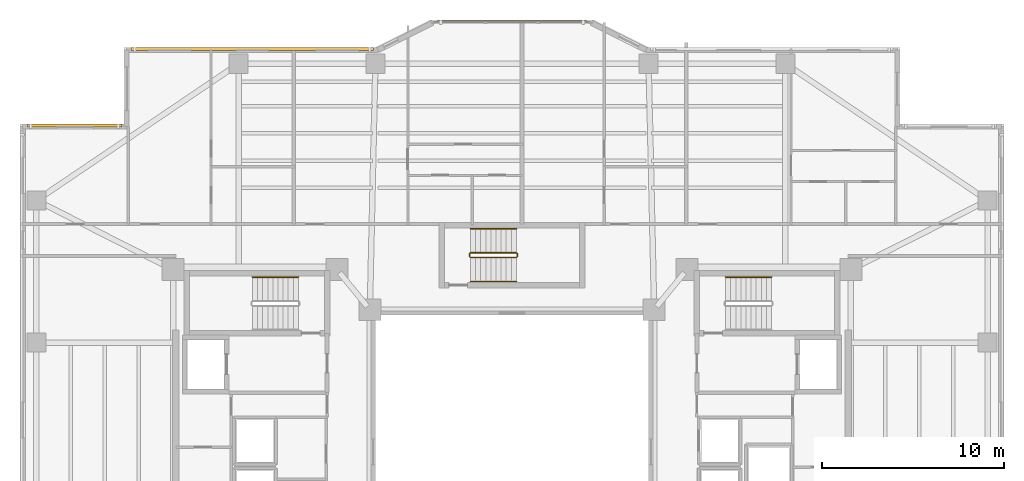
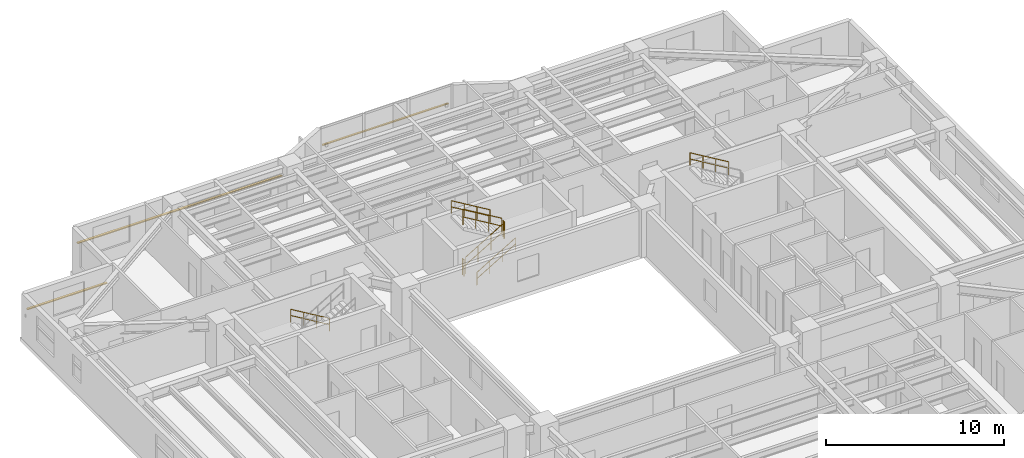
# One storey, part 17 of 18: 8 railings, 3 shading devices.
"""IFC4 building model written with IfcOpenShell, lengths in metres."""

from ifc_helpers import new_model, si_unit, direction, frame, origin, origin_2d, place, context, subcontext, project, spatial, rectangle, circle, extrude, material, material_profile, profile_set, type_object, element, save


model = new_model("IFC4")

# Units and contexts
model_context = context("Model", 3, precision=1e-05, world=origin(), true_north=direction((0.0, 1.0)))
body_context = subcontext(model_context, "Body", "Model", "MODEL_VIEW")
ifc_project = project(units=[si_unit("LENGTHUNIT", "METRE"), si_unit("AREAUNIT", "SQUARE_METRE"), si_unit("VOLUMEUNIT", "CUBIC_METRE"), si_unit("PLANEANGLEUNIT", "RADIAN"), si_unit("MASSUNIT", "GRAM", prefix="KILO")], contexts=[model_context])

# Site, building, storey
site_placement = place(None, origin())
site = spatial("IfcSite", under=ifc_project, at=site_placement, CompositionType="ELEMENT")
building_placement = place(site_placement, origin())
building = spatial("IfcBuilding", under=site, at=building_placement, Name="Tarnavaz Court Tower", CompositionType="ELEMENT")
storey_placement = place(building_placement, frame((0.0, 0.0, 98.39990234375)))
storey = spatial("IfcBuildingStorey", under=building, at=storey_placement, Name="L26", CompositionType="ELEMENT", Elevation=98.39990234375)

# Railings
ifc_material_1 = material(Name="Brushed Stainless Steel", Category="steel")
railing_type_1 = type_object("IfcRailingType", Name="RL-HANDRAIL-900", PredefinedType="HANDRAIL", material=ifc_material_1)
for number, where, name in (
    (1, (-11.719970703125, 9.590087890625, 0.16748046875), "L26 ST-W1 stair handrail 1"),
    (2, (14.239990234375, 9.590087890625, 1.842529296875), "L26 ST-E1 stair handrail 2"),
):
    element("IfcRailing", number, at=place(storey_placement, frame(where)), inside=storey, type_object=railing_type_1, Name=name, PredefinedType="HANDRAIL", context=body_context, shape_type="SweptSolid", body=[
        extrude(circle(Radius=0.02392578125, at=origin_2d()), frame((0.0, 0.0, 0.8759765625), z_axis=(-0.858159760407, 0.0, 0.513382728203), x_axis=(0.0, -1.0, 0.0)), (0.0, 0.0, 1.0), 2.9365234375),
        extrude(circle(Radius=0.02392578125, at=origin_2d()), frame((0.0, 0.0, 0.449951171875), z_axis=(-0.858159760407, 0.0, 0.513382728203), x_axis=(0.0, -1.0, 0.0)), (0.0, 0.0, 1.0), 2.9365234375),
        extrude(circle(Radius=0.02099609375, at=origin_2d()), origin(), (0.0, 0.0, 1.0), 0.851806640625),
        extrude(circle(Radius=0.02099609375, at=origin_2d()), frame((-0.840087890625, 0.0, 0.50244140625)), (0.0, 0.0, 1.0), 0.851806640625),
        extrude(circle(Radius=0.02099609375, at=origin_2d()), frame((-1.679931640625, 0.0, 1.005126953125)), (0.0, 0.0, 1.0), 0.851806640625),
        extrude(circle(Radius=0.02099609375, at=origin_2d()), frame((-2.52001953125, 0.0, 1.507568359375)), (0.0, 0.0, 1.0), 0.851806640625),
    ])
railing_1_placement = place(storey_placement, frame((-2.280029296875, 9.35009765625, 0.16748046875)))
element("IfcRailing", 3, at=railing_1_placement, inside=storey, type_object=railing_type_1, Name="L26 ST-N1 stair handrail 1", PredefinedType="HANDRAIL", context=body_context, shape_type="SweptSolid", body=[
    extrude(circle(Radius=0.02392578125, at=origin_2d()), frame((0.0, 0.0, 0.8759765625), z_axis=(0.858159760407, 0.0, 0.513382728203), x_axis=(0.0, 1.0, 0.0)), (0.0, 0.0, 1.0), 2.9365234375),
    extrude(circle(Radius=0.02392578125, at=origin_2d()), frame((0.0, 0.0, 0.449951171875), z_axis=(0.858159760407, 0.0, 0.513382728203), x_axis=(0.0, 1.0, 0.0)), (0.0, 0.0, 1.0), 2.9365234375),
    extrude(circle(Radius=0.02099609375, at=origin_2d()), origin(), (0.0, 0.0, 1.0), 0.851806640625),
    extrude(circle(Radius=0.02099609375, at=origin_2d()), frame((0.840087890625, 0.0, 0.50244140625)), (0.0, 0.0, 1.0), 0.851806640625),
    extrude(circle(Radius=0.02099609375, at=origin_2d()), frame((1.679931640625, 0.0, 1.005126953125)), (0.0, 0.0, 1.0), 0.851806640625),
    extrude(circle(Radius=0.02099609375, at=origin_2d()), frame((2.52001953125, 0.0, 1.507568359375)), (0.0, 0.0, 1.0), 0.851806640625),
])
railing_2_placement = place(storey_placement, frame((0.239990234375, 12.239990234375, 1.842529296875)))
element("IfcRailing", 4, at=railing_2_placement, inside=storey, type_object=railing_type_1, Name="L26 ST-N1 stair handrail 2", PredefinedType="HANDRAIL", context=body_context, shape_type="SweptSolid", body=[
    extrude(circle(Radius=0.02392578125, at=origin_2d()), frame((0.0, 0.0, 0.8759765625), z_axis=(-0.858159760407, 0.0, 0.513382728203), x_axis=(0.0, -1.0, 0.0)), (0.0, 0.0, 1.0), 2.9365234375),
    extrude(circle(Radius=0.02392578125, at=origin_2d()), frame((0.0, 0.0, 0.449951171875), z_axis=(-0.858159760407, 0.0, 0.513382728203), x_axis=(0.0, -1.0, 0.0)), (0.0, 0.0, 1.0), 2.9365234375),
    extrude(circle(Radius=0.02099609375, at=origin_2d()), origin(), (0.0, 0.0, 1.0), 0.851806640625),
    extrude(circle(Radius=0.02099609375, at=origin_2d()), frame((-0.840087890625, 0.0, 0.50244140625)), (0.0, 0.0, 1.0), 0.851806640625),
    extrude(circle(Radius=0.02099609375, at=origin_2d()), frame((-1.679931640625, 0.0, 1.005126953125)), (0.0, 0.0, 1.0), 0.851806640625),
    extrude(circle(Radius=0.02099609375, at=origin_2d()), frame((-2.52001953125, 0.0, 1.507568359375)), (0.0, 0.0, 1.0), 0.851806640625),
])
ifc_material_2 = material(Name="Galvanized Painted Tubular Steel", Category="steel")
railing_type_2 = type_object("IfcRailingType", Name="RL-STGUARD-1120", PredefinedType="GUARDRAIL", material=ifc_material_2)
railing_3_placement = place(storey_placement, frame((-2.280029296875, 10.669921875, 0.16748046875)))
element("IfcRailing", 5, at=railing_3_placement, inside=storey, type_object=railing_type_2, Name="L26 ST-N1 stair guard 1", PredefinedType="GUARDRAIL", context=body_context, shape_type="SweptSolid", body=[
    extrude(circle(Radius=0.02392578125, at=origin_2d()), frame((0.0, 0.0, 1.09619140625), z_axis=(0.858159760407, 0.0, 0.513382728203), x_axis=(0.0, 1.0, 0.0)), (0.0, 0.0, 1.0), 2.9365234375),
    extrude(circle(Radius=0.02392578125, at=origin_2d()), frame((0.0, 0.0, 0.56005859375), z_axis=(0.858159760407, 0.0, 0.513382728203), x_axis=(0.0, 1.0, 0.0)), (0.0, 0.0, 1.0), 2.9365234375),
    extrude(circle(Radius=0.02099609375, at=origin_2d()), origin(), (0.0, 0.0, 1.0), 1.072021484375),
    extrude(circle(Radius=0.02099609375, at=origin_2d()), frame((0.840087890625, 0.0, 0.50244140625)), (0.0, 0.0, 1.0), 1.072021484375),
    extrude(circle(Radius=0.02099609375, at=origin_2d()), frame((1.679931640625, 0.0, 1.005126953125)), (0.0, 0.0, 1.0), 1.072021484375),
    extrude(circle(Radius=0.02099609375, at=origin_2d()), frame((2.52001953125, 0.0, 1.507568359375)), (0.0, 0.0, 1.0), 1.072021484375),
])
railing_4_placement = place(storey_placement, frame((0.2900390625, 10.719970703125, 1.675048828125)))
element("IfcRailing", 6, at=railing_4_placement, inside=storey, type_object=railing_type_2, Name="L26 ST-N1 stair guard 2", PredefinedType="GUARDRAIL", context=body_context, shape_type="SweptSolid", body=[
    extrude(circle(Radius=0.02392578125, at=origin_2d()), frame((0.0, 0.0, 1.09619140625), z_axis=(0.0, 1.0, 0.0), x_axis=(-1.0, 0.0, 0.0)), (0.0, 0.0, 1.0), 0.150146484375),
    extrude(circle(Radius=0.02392578125, at=origin_2d()), frame((0.0, 0.0, 0.56005859375), z_axis=(0.0, 1.0, 0.0), x_axis=(-1.0, 0.0, 0.0)), (0.0, 0.0, 1.0), 0.150146484375),
    extrude(circle(Radius=0.02099609375, at=origin_2d()), origin(), (0.0, 0.0, 1.0), 1.072021484375),
    extrude(circle(Radius=0.02099609375, at=origin_2d()), frame((0.0, 0.150146484375, 0.0)), (0.0, 0.0, 1.0), 1.072021484375),
])
railing_5_placement = place(storey_placement, frame((0.239990234375, 10.919921875, 1.842529296875)))
element("IfcRailing", 7, at=railing_5_placement, inside=storey, type_object=railing_type_2, Name="L26 ST-N1 stair guard 3", PredefinedType="GUARDRAIL", context=body_context, shape_type="SweptSolid", body=[
    extrude(circle(Radius=0.02392578125, at=origin_2d()), frame((0.0, 0.0, 1.09619140625), z_axis=(-0.858159760407, 0.0, 0.513382728203), x_axis=(0.0, -1.0, 0.0)), (0.0, 0.0, 1.0), 2.9365234375),
    extrude(circle(Radius=0.02392578125, at=origin_2d()), frame((0.0, 0.0, 0.56005859375), z_axis=(-0.858159760407, 0.0, 0.513382728203), x_axis=(0.0, -1.0, 0.0)), (0.0, 0.0, 1.0), 2.9365234375),
    extrude(circle(Radius=0.02099609375, at=origin_2d()), origin(), (0.0, 0.0, 1.0), 1.072021484375),
    extrude(circle(Radius=0.02099609375, at=origin_2d()), frame((-0.840087890625, 0.0, 0.50244140625)), (0.0, 0.0, 1.0), 1.072021484375),
    extrude(circle(Radius=0.02099609375, at=origin_2d()), frame((-1.679931640625, 0.0, 1.005126953125)), (0.0, 0.0, 1.0), 1.072021484375),
    extrude(circle(Radius=0.02099609375, at=origin_2d()), frame((-2.52001953125, 0.0, 1.507568359375)), (0.0, 0.0, 1.0), 1.072021484375),
])
railing_6_placement = place(storey_placement, frame((-2.330078125, 10.719970703125, 0.0)))
element("IfcRailing", 8, at=railing_6_placement, inside=storey, type_object=railing_type_2, Name="L26 ST-N1 stair guard 4", PredefinedType="GUARDRAIL", context=body_context, shape_type="SweptSolid", body=[
    extrude(circle(Radius=0.02392578125, at=origin_2d()), frame((0.0, 0.0, 1.09619140625), z_axis=(0.0, 1.0, 0.0), x_axis=(-1.0, 0.0, 0.0)), (0.0, 0.0, 1.0), 0.150146484375),
    extrude(circle(Radius=0.02392578125, at=origin_2d()), frame((0.0, 0.0, 0.56005859375), z_axis=(0.0, 1.0, 0.0), x_axis=(-1.0, 0.0, 0.0)), (0.0, 0.0, 1.0), 0.150146484375),
    extrude(circle(Radius=0.02099609375, at=origin_2d()), origin(), (0.0, 0.0, 1.0), 1.072021484375),
    extrude(circle(Radius=0.02099609375, at=origin_2d()), frame((0.0, 0.150146484375, 0.0)), (0.0, 0.0, 1.0), 1.072021484375),
])

# Shading devices
ifc_material_3 = material(Name="Kiln-Fired Khorasan Terracotta Ceramic", Category="masonry")
ifc_material_profile_1 = material_profile(ifc_material_3, rectangle(XDim=0.1201171875, YDim=0.06005859375, at=origin_2d()), Name="TC BAGUETTE 120X60")
ifc_profile_set_1 = profile_set([ifc_material_profile_1], Name="Kiln-Fired Khorasan Terracotta Ceramic")
shading_device_type_1 = type_object("IfcShadingDeviceType", Name="SD-BAG-120", PredefinedType="USERDEFINED", material=ifc_profile_set_1)
shading_device_1_placement = place(storey_placement, frame((-4.10009765625, 23.610107421875, 1.800048828125), z_axis=(1.0, 0.0, 0.0), x_axis=(0.0, 1.0, 0.0)))
element("IfcShadingDevice", 9, at=shading_device_1_placement, inside=storey, type_object=shading_device_type_1, Name="L26 Terracotta Baguette Screen PBG7", ObjectType="BAGUETTE", PredefinedType="USERDEFINED", context=body_context, shape_type="SweptSolid", body=[
    extrude(rectangle(XDim=0.1201171875, YDim=0.06005859375, at=origin_2d()), origin(), (0.0, 0.0, 1.0), 8.2001953125),
])
ifc_material_profile_2 = material_profile(ifc_material_3, rectangle(XDim=0.14990234375, YDim=0.06494140625, at=origin_2d()), Name="TC BAGUETTE 150X65")
ifc_profile_set_2 = profile_set([ifc_material_profile_2], Name="Kiln-Fired Khorasan Terracotta Ceramic")
shading_device_type_2 = type_object("IfcShadingDeviceType", Name="SD-BAG-150", PredefinedType="USERDEFINED", material=ifc_profile_set_2)
shading_device_2_placement = place(storey_placement, frame((-26.60009765625, 17.909912109375, 1.85009765625), z_axis=(1.0, 0.0, 0.0), x_axis=(0.0, 1.0, 0.0)))
element("IfcShadingDevice", 10, at=shading_device_2_placement, inside=storey, type_object=shading_device_type_2, Name="L26 Terracotta Baguette Screen FBG03", ObjectType="BAGUETTE", PredefinedType="USERDEFINED", context=body_context, shape_type="SweptSolid", body=[
    extrude(rectangle(XDim=0.14990234375, YDim=0.06494140625, at=origin_2d()), origin(), (0.0, 0.0, 1.0), 5.2001953125),
])
shading_device_3_placement = place(storey_placement, frame((-20.89990234375, 22.110107421875, 1.85009765625), z_axis=(1.0, 0.0, 0.0), x_axis=(0.0, 1.0, 0.0)))
element("IfcShadingDevice", 11, at=shading_device_3_placement, inside=storey, type_object=shading_device_type_2, Name="L26 Terracotta Baguette Screen FBG05", ObjectType="BAGUETTE", PredefinedType="USERDEFINED", context=body_context, shape_type="SweptSolid", body=[
    extrude(rectangle(XDim=0.14990234375, YDim=0.06494140625, at=origin_2d()), origin(), (0.0, 0.0, 1.0), 13.2998046875),
])

save(model, "model.ifc")
